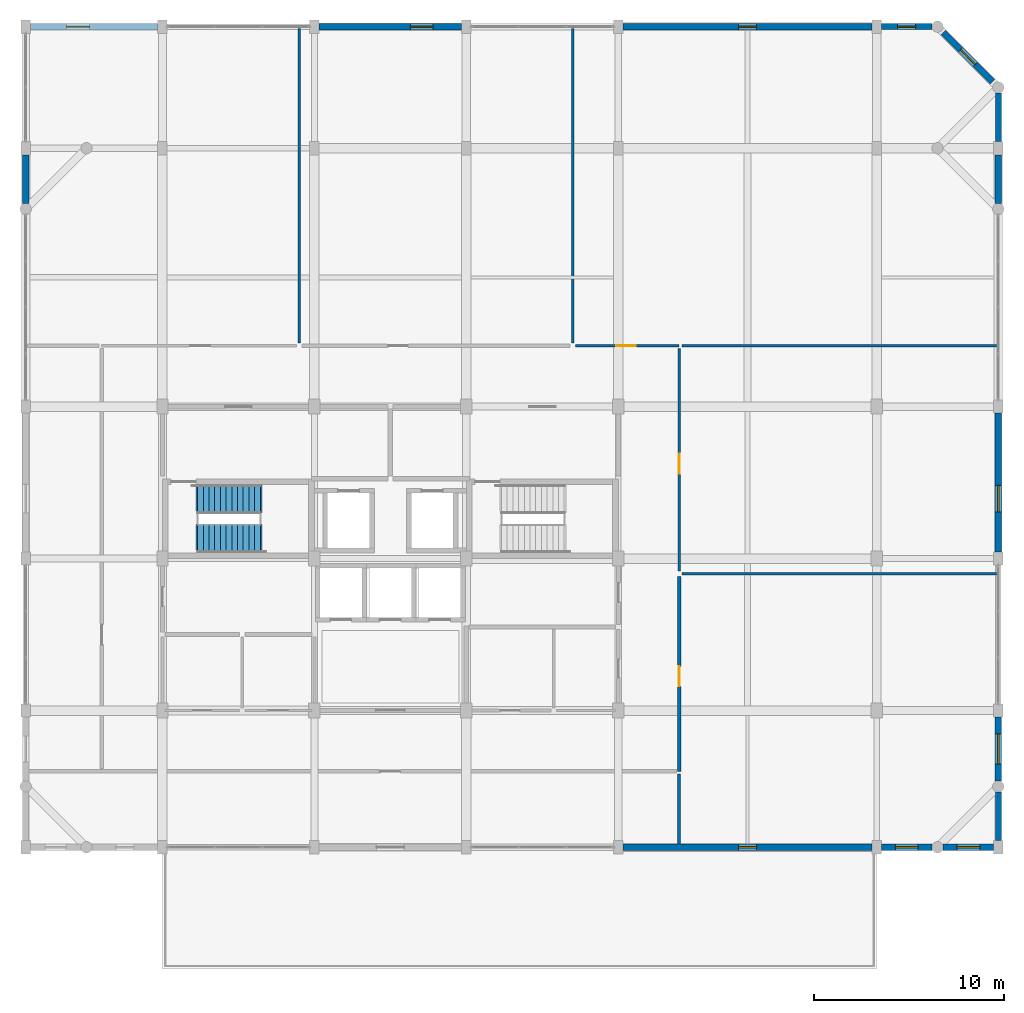
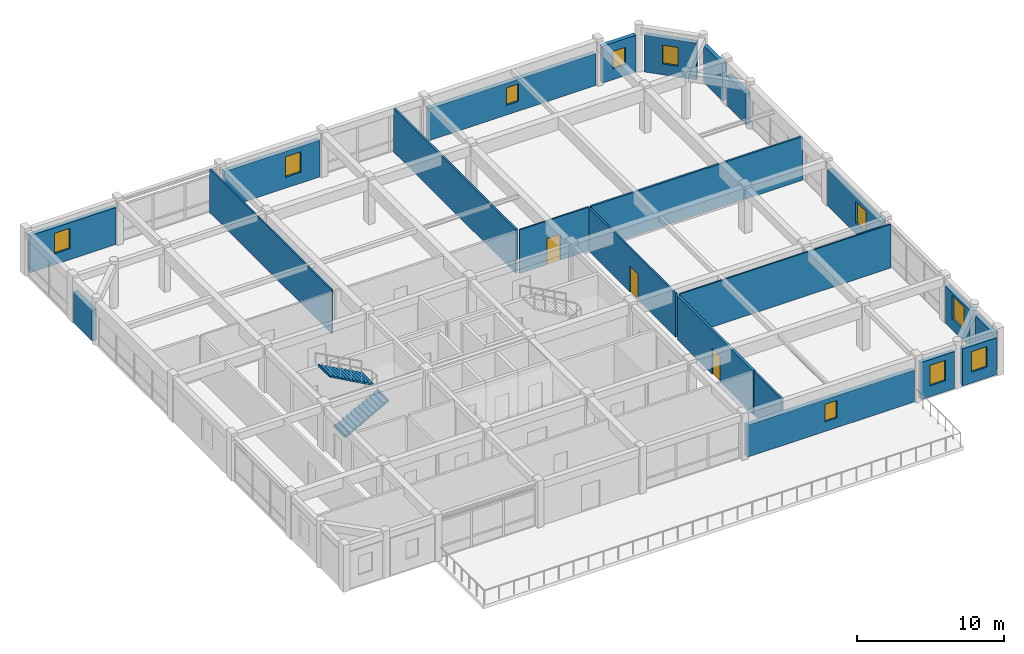
# One storey, part 11 of 13: 22 walls, 10 windows, 3 doors, 2 stair flights, 13 openings, 1 element without a shape of its own.
"""IFC4 building model written with IfcOpenShell, lengths in metres."""

from ifc_helpers import new_model, si_unit, direction, frame, frame_2d, origin, place, context, subcontext, project, spatial, polyline, rectangle, outline, extrude, material, layer, layer_set, type_object, element, fill, aggregate, save


model = new_model("IFC4")

# Units and contexts
model_context = context("Model", 3, precision=1e-05, world=origin(), true_north=direction((0.0, 1.0)))
body_context = subcontext(model_context, "Body", "Model", "MODEL_VIEW")
ifc_project = project(units=[si_unit("LENGTHUNIT", "METRE"), si_unit("AREAUNIT", "SQUARE_METRE"), si_unit("VOLUMEUNIT", "CUBIC_METRE"), si_unit("PLANEANGLEUNIT", "RADIAN"), si_unit("MASSUNIT", "GRAM", prefix="KILO")], contexts=[model_context])

# Site, building, storey
site_placement = place(None, origin())
site = spatial("IfcSite", under=ifc_project, at=site_placement, CompositionType="ELEMENT")
building_placement = place(site_placement, origin())
building = spatial("IfcBuilding", under=site, at=building_placement, Name="Vellmiral Cinema and Media Centre", CompositionType="ELEMENT")
storey_placement = place(building_placement, frame((0.0, 0.0, 50.89990234375)))
storey = spatial("IfcBuildingStorey", under=building, at=storey_placement, Name="L12", CompositionType="ELEMENT", Elevation=50.89990234375)

# Wall, opening, window
ifc_material_1 = material(Name="Polychrome Glazed Ceramic Cladding", Category="masonry")
ifc_layer_1 = layer(ifc_material_1, 0.320068359375, Name="Polychrome Glazed Ceramic Cladding")
ifc_layer_set_1 = layer_set([ifc_layer_1], Name="Polychrome Glazed Ceramic Cladding")
wall_type_1 = type_object("IfcWallType", Name="WL-EXT-BRICK-320", PredefinedType="SOLIDWALL", material=ifc_layer_set_1)
wall_1_placement = place(storey_placement, frame((161.85009765625, 72.0, 0.0), z_axis=(0.0, 0.0, 1.0), x_axis=(1.0, 0.0, 0.0)))
wall_1 = element("IfcWall", 1, at=wall_1_placement, inside=storey, type_object=wall_type_1, Name="Exterior Facade Wall L12-007", PredefinedType="SOLIDWALL", context=body_context, shape_type="SweptSolid", body=[
    extrude(rectangle(XDim=2.64990234375, YDim=0.320068359375, at=frame_2d((1.324951171875, 0.0))), origin(), (0.0, 0.0, 1.0), 3.06005859375),
])
opening_1_placement = place(wall_1_placement, frame((0.72509765625, 0.0, 0.89990234375)))
opening_1 = element("IfcOpeningElement", 2, at=opening_1_placement, cuts=wall_1, Name="Opening WN-10", PredefinedType="OPENING", context=body_context, shape_type="SweptSolid", body=[
    extrude(rectangle(XDim=1.199951171875, YDim=1.699951171875, at=frame_2d((0.60009765625, 0.85009765625))), frame((0.0, 0.171875, 0.0), z_axis=(0.0, -1.0, 0.0), x_axis=(1.0, 0.0, 0.0)), (0.0, 0.0, 1.0), 0.343994140625),
])
ifc_material_2 = material(Name="Thermally Broken Aluminium Triple Glazing", Category="aluminium")
window_type_1 = type_object("IfcWindowType", Name="WN-1200x1700", PartitioningType="SINGLE_PANEL", PredefinedType="WINDOW", material=ifc_material_2)
window_1_placement = place(opening_1_placement, origin())
window_1 = element("IfcWindow", 3, at=window_1_placement, inside=storey, type_object=window_type_1, Name="Window L12-007", OverallHeight=1.699951171875, OverallWidth=1.199951171875, PartitioningType="SINGLE_PANEL", PredefinedType="WINDOW", context=body_context, shape_type="SweptSolid", body=[
    extrude(rectangle(XDim=1.199951171875, YDim=1.699951171875, at=frame_2d((0.60009765625, 0.85009765625))), frame((0.0, 0.030029296875, 0.0), z_axis=(0.0, -1.0, 0.0), x_axis=(1.0, 0.0, 0.0)), (0.0, 0.0, 1.0), 0.06005859375),
])
fill(opening_1, window_1)

# Walls
wall_2_placement = place(storey_placement, frame((168.0, 72.35009765625, 0.0), z_axis=(0.0, 0.0, 1.0), x_axis=(0.0, 1.0, 0.0)))
element("IfcWall", 4, at=wall_2_placement, inside=storey, type_object=wall_type_1, Name="Exterior Facade Wall L12-009", PredefinedType="SOLIDWALL", context=body_context, shape_type="SweptSolid", body=[
    extrude(rectangle(XDim=2.5498046875, YDim=0.320068359375, at=frame_2d((1.27490234375, 0.0))), origin(), (0.0, 0.0, 1.0), 3.06005859375),
])
wall_3_placement = place(storey_placement, frame((168.0, 109.14990234375, 0.0), z_axis=(0.0, 0.0, 1.0), x_axis=(0.0, 1.0, 0.0)))
element("IfcWall", 5, at=wall_3_placement, inside=storey, type_object=wall_type_1, Name="Exterior Facade Wall L12-015", PredefinedType="SOLIDWALL", context=body_context, shape_type="SweptSolid", body=[
    extrude(rectangle(XDim=2.550048828125, YDim=0.320068359375, at=frame_2d((1.27490234375, 0.0))), origin(), (0.0, 0.0, 1.0), 3.06005859375),
])

# Wall, opening, window
wall_4_placement = place(storey_placement, frame((164.5, 115.199951171875, 0.0), z_axis=(0.0, 0.0, 1.0), x_axis=(-1.0, 0.0, 0.0)))
wall_4 = element("IfcWall", 6, at=wall_4_placement, inside=storey, type_object=wall_type_1, Name="Exterior Facade Wall L12-017", PredefinedType="SOLIDWALL", context=body_context, shape_type="SweptSolid", body=[
    extrude(rectangle(XDim=2.64990234375, YDim=0.320068359375, at=frame_2d((1.324951171875, 0.0))), origin(), (0.0, 0.0, 1.0), 3.06005859375),
])
opening_2_placement = place(wall_4_placement, frame((0.85009765625, 0.0, 0.89990234375)))
opening_2 = element("IfcOpeningElement", 7, at=opening_2_placement, cuts=wall_4, Name="Opening WN-12", PredefinedType="OPENING", context=body_context, shape_type="SweptSolid", body=[
    extrude(rectangle(XDim=0.949951171875, YDim=1.449951171875, at=frame_2d((0.47509765625, 0.72509765625))), frame((0.0, 0.171875, 0.0), z_axis=(0.0, -1.0, 0.0), x_axis=(1.0, 0.0, 0.0)), (0.0, 0.0, 1.0), 0.343994140625),
])
ifc_material_3 = material(Name="Thermally Broken Aluminium Triple Glazing", Category="aluminium")
window_type_2 = type_object("IfcWindowType", Name="WN-0950x1450", PartitioningType="SINGLE_PANEL", PredefinedType="WINDOW", material=ifc_material_3)
window_2_placement = place(opening_2_placement, origin())
window_2 = element("IfcWindow", 8, at=window_2_placement, inside=storey, type_object=window_type_2, Name="Window L12-017", OverallHeight=1.449951171875, OverallWidth=0.949951171875, PartitioningType="SINGLE_PANEL", PredefinedType="WINDOW", context=body_context, shape_type="SweptSolid", body=[
    extrude(rectangle(XDim=0.949951171875, YDim=1.449951171875, at=frame_2d((0.47509765625, 0.72509765625))), frame((0.0, 0.030029296875, 0.0), z_axis=(0.0, -1.0, 0.0), x_axis=(1.0, 0.0, 0.0)), (0.0, 0.0, 1.0), 0.06005859375),
])
fill(opening_2, window_2)

ifc_material_4 = material(Name="Vosges Red Sandstone Masonry", Category="masonry")
ifc_layer_2 = layer(ifc_material_4, 0.340087890625, Name="Vosges Red Sandstone Masonry")
ifc_layer_set_2 = layer_set([ifc_layer_2], Name="Vosges Red Sandstone Masonry")
wall_type_2 = type_object("IfcWallType", Name="WL-EXT-SAND-340", PredefinedType="SOLIDWALL", material=ifc_layer_set_2)
wall_5_placement = place(storey_placement, frame((148.25, 72.0, 0.0), z_axis=(0.0, 0.0, 1.0), x_axis=(1.0, 0.0, 0.0)))
wall_5 = element("IfcWall", 9, at=wall_5_placement, inside=storey, type_object=wall_type_2, Name="Exterior Facade Wall L12-006", PredefinedType="SOLIDWALL", context=body_context, shape_type="SweptSolid", body=[
    extrude(rectangle(XDim=13.10009765625, YDim=0.340087890625, at=frame_2d((6.550048828125, 0.0))), origin(), (0.0, 0.0, 1.0), 2.64501953125),
])
opening_3_placement = place(wall_5_placement, frame((6.074951171875, 0.0, 0.800048828125)))
opening_3 = element("IfcOpeningElement", 10, at=opening_3_placement, cuts=wall_5, Name="Opening WN-12", PredefinedType="OPENING", context=body_context, shape_type="SweptSolid", body=[
    extrude(rectangle(XDim=0.949951171875, YDim=1.449951171875, at=frame_2d((0.47509765625, 0.72509765625))), frame((0.0, 0.18212890625, 0.0), z_axis=(0.0, -1.0, 0.0), x_axis=(1.0, 0.0, 0.0)), (0.0, 0.0, 1.0), 0.364013671875),
])
window_3_placement = place(opening_3_placement, origin())
window_3 = element("IfcWindow", 11, at=window_3_placement, inside=storey, type_object=window_type_2, Name="Window L12-006", OverallHeight=1.449951171875, OverallWidth=0.949951171875, PartitioningType="SINGLE_PANEL", PredefinedType="WINDOW", context=body_context, shape_type="SweptSolid", body=[
    extrude(rectangle(XDim=0.949951171875, YDim=1.449951171875, at=frame_2d((0.47509765625, 0.72509765625))), frame((0.0, 0.030029296875, 0.0), z_axis=(0.0, -1.0, 0.0), x_axis=(1.0, 0.0, 0.0)), (0.0, 0.0, 1.0), 0.06005859375),
])
fill(opening_3, window_3)

wall_6_placement = place(storey_placement, frame((165.10009765625, 72.0, 0.0), z_axis=(0.0, 0.0, 1.0), x_axis=(1.0, 0.0, 0.0)))
wall_6 = element("IfcWall", 12, at=wall_6_placement, inside=storey, type_object=wall_type_2, Name="Exterior Facade Wall L12-008", PredefinedType="SOLIDWALL", context=body_context, shape_type="SweptSolid", body=[
    extrude(rectangle(XDim=2.64990234375, YDim=0.340087890625, at=frame_2d((1.324951171875, 0.0))), origin(), (0.0, 0.0, 1.0), 3.06005859375),
])
opening_4_placement = place(wall_6_placement, frame((0.72509765625, 0.0, 0.89990234375)))
opening_4 = element("IfcOpeningElement", 13, at=opening_4_placement, cuts=wall_6, Name="Opening WN-10", PredefinedType="OPENING", context=body_context, shape_type="SweptSolid", body=[
    extrude(rectangle(XDim=1.199951171875, YDim=1.699951171875, at=frame_2d((0.60009765625, 0.85009765625))), frame((0.0, 0.18212890625, 0.0), z_axis=(0.0, -1.0, 0.0), x_axis=(1.0, 0.0, 0.0)), (0.0, 0.0, 1.0), 0.364013671875),
])
window_4_placement = place(opening_4_placement, origin())
window_4 = element("IfcWindow", 14, at=window_4_placement, inside=storey, type_object=window_type_1, Name="Window L12-008", OverallHeight=1.699951171875, OverallWidth=1.199951171875, PartitioningType="SINGLE_PANEL", PredefinedType="WINDOW", context=body_context, shape_type="SweptSolid", body=[
    extrude(rectangle(XDim=1.199951171875, YDim=1.699951171875, at=frame_2d((0.60009765625, 0.85009765625))), frame((0.0, 0.030029296875, 0.0), z_axis=(0.0, -1.0, 0.0), x_axis=(1.0, 0.0, 0.0)), (0.0, 0.0, 1.0), 0.06005859375),
])
fill(opening_4, window_4)

wall_7_placement = place(storey_placement, frame((168.0, 75.5, 0.0), z_axis=(0.0, 0.0, 1.0), x_axis=(0.0, 1.0, 0.0)))
wall_7 = element("IfcWall", 15, at=wall_7_placement, inside=storey, type_object=wall_type_2, Name="Exterior Facade Wall L12-010", PredefinedType="SOLIDWALL", context=body_context, shape_type="SweptSolid", body=[
    extrude(rectangle(XDim=3.35009765625, YDim=0.340087890625, at=frame_2d((1.675048828125, 0.0))), origin(), (0.0, 0.0, 1.0), 3.06005859375),
])
opening_5_placement = place(wall_7_placement, frame((0.875, 0.0, 0.89990234375)))
opening_5 = element("IfcOpeningElement", 16, at=opening_5_placement, cuts=wall_7, Name="Opening WN-05", PredefinedType="OPENING", context=body_context, shape_type="SweptSolid", body=[
    extrude(rectangle(XDim=1.60009765625, YDim=1.949951171875, at=frame_2d((0.800048828125, 0.97509765625))), frame((0.0, 0.18212890625, 0.0), z_axis=(0.0, -1.0, 0.0), x_axis=(1.0, 0.0, 0.0)), (0.0, 0.0, 1.0), 0.364013671875),
])
ifc_material_5 = material(Name="Thermally Broken Aluminium Triple Glazing", Category="aluminium")
window_type_3 = type_object("IfcWindowType", Name="WN-1600x1950", PartitioningType="DOUBLE_PANEL_VERTICAL", PredefinedType="WINDOW", material=ifc_material_5)
window_5_placement = place(opening_5_placement, origin())
window_5 = element("IfcWindow", 17, at=window_5_placement, inside=storey, type_object=window_type_3, Name="Window L12-010", OverallHeight=1.949951171875, OverallWidth=1.60009765625, PartitioningType="DOUBLE_PANEL_VERTICAL", PredefinedType="WINDOW", context=body_context, shape_type="SweptSolid", body=[
    extrude(rectangle(XDim=1.60009765625, YDim=1.949951171875, at=frame_2d((0.800048828125, 0.97509765625))), frame((0.0, 0.030029296875, 0.0), z_axis=(0.0, -1.0, 0.0), x_axis=(1.0, 0.0, 0.0)), (0.0, 0.0, 1.0), 0.06005859375),
])
fill(opening_5, window_5)

wall_8_placement = place(storey_placement, frame((168.0, 87.550048828125, 0.0), z_axis=(0.0, 0.0, 1.0), x_axis=(0.0, 1.0, 0.0)))
wall_8 = element("IfcWall", 18, at=wall_8_placement, inside=storey, type_object=wall_type_2, Name="Exterior Facade Wall L12-012", PredefinedType="SOLIDWALL", context=body_context, shape_type="SweptSolid", body=[
    extrude(rectangle(XDim=7.300048828125, YDim=0.340087890625, at=frame_2d((3.64990234375, 0.0))), origin(), (0.0, 0.0, 1.0), 3.045166015625),
])
opening_6_placement = place(wall_8_placement, frame((2.10009765625, 0.0, 0.89990234375)))
opening_6 = element("IfcOpeningElement", 19, at=opening_6_placement, cuts=wall_8, Name="Opening WN-07", PredefinedType="OPENING", context=body_context, shape_type="SweptSolid", body=[
    extrude(rectangle(XDim=1.39990234375, YDim=1.800048828125, at=frame_2d((0.699951171875, 0.89990234375))), frame((0.0, 0.18212890625, 0.0), z_axis=(0.0, -1.0, 0.0), x_axis=(1.0, 0.0, 0.0)), (0.0, 0.0, 1.0), 0.364013671875),
])
ifc_material_6 = material(Name="Thermally Broken Aluminium Triple Glazing", Category="aluminium")
window_type_4 = type_object("IfcWindowType", Name="WN-1400x1800", PartitioningType="SINGLE_PANEL", PredefinedType="WINDOW", material=ifc_material_6)
window_6_placement = place(opening_6_placement, origin())
window_6 = element("IfcWindow", 20, at=window_6_placement, inside=storey, type_object=window_type_4, Name="Window L12-012", OverallHeight=1.800048828125, OverallWidth=1.39990234375, PartitioningType="SINGLE_PANEL", PredefinedType="WINDOW", context=body_context, shape_type="SweptSolid", body=[
    extrude(rectangle(XDim=1.39990234375, YDim=1.800048828125, at=frame_2d((0.699951171875, 0.89990234375))), frame((0.0, 0.030029296875, 0.0), z_axis=(0.0, -1.0, 0.0), x_axis=(1.0, 0.0, 0.0)), (0.0, 0.0, 1.0), 0.06005859375),
])
fill(opening_6, window_6)

# Wall
wall_9_placement = place(storey_placement, frame((168.0, 105.89990234375, 0.0), z_axis=(0.0, 0.0, 1.0), x_axis=(0.0, 1.0, 0.0)))
element("IfcWall", 21, at=wall_9_placement, inside=storey, type_object=wall_type_2, Name="Exterior Facade Wall L12-014", PredefinedType="SOLIDWALL", context=body_context, shape_type="SweptSolid", body=[
    extrude(rectangle(XDim=2.550048828125, YDim=0.340087890625, at=frame_2d((1.27490234375, 0.0))), origin(), (0.0, 0.0, 1.0), 2.59521484375),
])

# Wall, opening, window
wall_10_placement = place(storey_placement, frame((167.699951171875, 112.300048828125, 0.0), z_axis=(0.0, 0.0, 1.0), x_axis=(-0.707106781187, 0.707106781187, 0.0)))
wall_10 = element("IfcWall", 22, at=wall_10_placement, inside=storey, type_object=wall_type_2, Name="Exterior Facade Wall L12-016", PredefinedType="SOLIDWALL", context=body_context, shape_type="SweptSolid", body=[
    extrude(rectangle(XDim=3.6767578125, YDim=0.340087890625, at=frame_2d((1.83837890625, 0.0))), origin(), (0.0, 0.0, 1.0), 3.05517578125),
])
opening_7_placement = place(wall_10_placement, frame((1.28857421875, 0.0, 0.89990234375)))
opening_7 = element("IfcOpeningElement", 23, at=opening_7_placement, cuts=wall_10, Name="Opening WN-11", PredefinedType="OPENING", context=body_context, shape_type="SweptSolid", body=[
    extrude(rectangle(XDim=1.10009765625, YDim=1.550048828125, at=frame_2d((0.550048828125, 0.77490234375))), frame((0.0, 0.18212890625, 0.0), z_axis=(0.0, -1.0, 0.0), x_axis=(1.0, 0.0, 0.0)), (0.0, 0.0, 1.0), 0.364013671875),
])
ifc_material_7 = material(Name="Thermally Broken Aluminium Triple Glazing", Category="aluminium")
window_type_5 = type_object("IfcWindowType", Name="WN-1100x1550", PartitioningType="SINGLE_PANEL", PredefinedType="WINDOW", material=ifc_material_7)
window_7_placement = place(opening_7_placement, origin())
window_7 = element("IfcWindow", 24, at=window_7_placement, inside=storey, type_object=window_type_5, Name="Window L12-016", OverallHeight=1.550048828125, OverallWidth=1.10009765625, PartitioningType="SINGLE_PANEL", PredefinedType="WINDOW", context=body_context, shape_type="SweptSolid", body=[
    extrude(rectangle(XDim=1.10009765625, YDim=1.550048828125, at=frame_2d((0.550048828125, 0.77490234375))), frame((0.0, 0.030029296875, 0.0), z_axis=(0.0, -1.0, 0.0), x_axis=(1.0, 0.0, 0.0)), (0.0, 0.0, 1.0), 0.06005859375),
])
fill(opening_7, window_7)

wall_11_placement = place(storey_placement, frame((161.35009765625, 115.199951171875, 0.0), z_axis=(0.0, 0.0, 1.0), x_axis=(-1.0, 0.0, 0.0)))
wall_11 = element("IfcWall", 25, at=wall_11_placement, inside=storey, type_object=wall_type_2, Name="Exterior Facade Wall L12-018", PredefinedType="SOLIDWALL", context=body_context, shape_type="SweptSolid", body=[
    extrude(rectangle(XDim=13.10009765625, YDim=0.340087890625, at=frame_2d((6.550048828125, 0.0))), origin(), (0.0, 0.0, 1.0), 2.64501953125),
])
opening_8_placement = place(wall_11_placement, frame((6.074951171875, 0.0, 0.800048828125)))
opening_8 = element("IfcOpeningElement", 26, at=opening_8_placement, cuts=wall_11, Name="Opening WN-12", PredefinedType="OPENING", context=body_context, shape_type="SweptSolid", body=[
    extrude(rectangle(XDim=0.949951171875, YDim=1.449951171875, at=frame_2d((0.47509765625, 0.72509765625))), frame((0.0, 0.18212890625, 0.0), z_axis=(0.0, -1.0, 0.0), x_axis=(1.0, 0.0, 0.0)), (0.0, 0.0, 1.0), 0.364013671875),
])
window_8_placement = place(opening_8_placement, origin())
window_8 = element("IfcWindow", 27, at=window_8_placement, inside=storey, type_object=window_type_2, Name="Window L12-018", OverallHeight=1.449951171875, OverallWidth=0.949951171875, PartitioningType="SINGLE_PANEL", PredefinedType="WINDOW", context=body_context, shape_type="SweptSolid", body=[
    extrude(rectangle(XDim=0.949951171875, YDim=1.449951171875, at=frame_2d((0.47509765625, 0.72509765625))), frame((0.0, 0.030029296875, 0.0), z_axis=(0.0, -1.0, 0.0), x_axis=(1.0, 0.0, 0.0)), (0.0, 0.0, 1.0), 0.06005859375),
])
fill(opening_8, window_8)

wall_12_placement = place(storey_placement, frame((139.75, 115.199951171875, 0.0), z_axis=(0.0, 0.0, 1.0), x_axis=(-1.0, 0.0, 0.0)))
wall_12 = element("IfcWall", 28, at=wall_12_placement, inside=storey, type_object=wall_type_2, Name="Exterior Facade Wall L12-020", PredefinedType="SOLIDWALL", context=body_context, shape_type="SweptSolid", body=[
    extrude(rectangle(XDim=7.5, YDim=0.340087890625, at=frame_2d((3.75, 0.0))), origin(), (0.0, 0.0, 1.0), 3.045166015625),
])
opening_9_placement = place(wall_12_placement, frame((1.5, 0.0, 0.89990234375)))
opening_9 = element("IfcOpeningElement", 29, at=opening_9_placement, cuts=wall_12, Name="Opening WN-10", PredefinedType="OPENING", context=body_context, shape_type="SweptSolid", body=[
    extrude(rectangle(XDim=1.199951171875, YDim=1.699951171875, at=frame_2d((0.60009765625, 0.85009765625))), frame((0.0, 0.18212890625, 0.0), z_axis=(0.0, -1.0, 0.0), x_axis=(1.0, 0.0, 0.0)), (0.0, 0.0, 1.0), 0.364013671875),
])
window_9_placement = place(opening_9_placement, origin())
window_9 = element("IfcWindow", 30, at=window_9_placement, inside=storey, type_object=window_type_1, Name="Window L12-020", OverallHeight=1.699951171875, OverallWidth=1.199951171875, PartitioningType="SINGLE_PANEL", PredefinedType="WINDOW", context=body_context, shape_type="SweptSolid", body=[
    extrude(rectangle(XDim=1.199951171875, YDim=1.699951171875, at=frame_2d((0.60009765625, 0.85009765625))), frame((0.0, 0.030029296875, 0.0), z_axis=(0.0, -1.0, 0.0), x_axis=(1.0, 0.0, 0.0)), (0.0, 0.0, 1.0), 0.06005859375),
])
fill(opening_9, window_9)

wall_13_placement = place(storey_placement, frame((123.75, 115.199951171875, 0.0), z_axis=(0.0, 0.0, 1.0), x_axis=(-1.0, 0.0, 0.0)))
wall_13 = element("IfcWall", 31, at=wall_13_placement, inside=storey, type_object=wall_type_2, Name="Exterior Facade Wall L12-022", PredefinedType="SOLIDWALL", context=body_context, shape_type="SweptSolid", body=[
    extrude(rectangle(XDim=6.699951171875, YDim=0.340087890625, at=frame_2d((3.35009765625, 0.0))), origin(), (0.0, 0.0, 1.0), 3.06005859375),
])
opening_10_placement = place(wall_13_placement, frame((3.60009765625, 0.0, 0.89990234375)))
opening_10 = element("IfcOpeningElement", 32, at=opening_10_placement, cuts=wall_13, Name="Opening WN-10", PredefinedType="OPENING", context=body_context, shape_type="SweptSolid", body=[
    extrude(rectangle(XDim=1.199951171875, YDim=1.699951171875, at=frame_2d((0.60009765625, 0.85009765625))), frame((0.0, 0.18212890625, 0.0), z_axis=(0.0, -1.0, 0.0), x_axis=(1.0, 0.0, 0.0)), (0.0, 0.0, 1.0), 0.364013671875),
])
window_10_placement = place(opening_10_placement, origin())
window_10 = element("IfcWindow", 33, at=window_10_placement, inside=storey, type_object=window_type_1, Name="Window L12-022", OverallHeight=1.699951171875, OverallWidth=1.199951171875, PartitioningType="SINGLE_PANEL", PredefinedType="WINDOW", context=body_context, shape_type="SweptSolid", body=[
    extrude(rectangle(XDim=1.199951171875, YDim=1.699951171875, at=frame_2d((0.60009765625, 0.85009765625))), frame((0.0, 0.030029296875, 0.0), z_axis=(0.0, -1.0, 0.0), x_axis=(1.0, 0.0, 0.0)), (0.0, 0.0, 1.0), 0.06005859375),
])
fill(opening_10, window_10)

# Walls
wall_14_placement = place(storey_placement, frame((116.800048828125, 108.449951171875, 0.0), z_axis=(0.0, 0.0, 1.0), x_axis=(0.0, -1.0, 0.0)))
element("IfcWall", 34, at=wall_14_placement, inside=storey, type_object=wall_type_2, Name="Exterior Facade Wall L12-024", PredefinedType="SOLIDWALL", context=body_context, shape_type="SweptSolid", body=[
    extrude(rectangle(XDim=2.550048828125, YDim=0.340087890625, at=frame_2d((1.27490234375, 0.0))), origin(), (0.0, 0.0, 1.0), 2.59521484375),
])
ifc_material_8 = material(Name="Gypsum Plasterboard")
ifc_layer_3 = layer(ifc_material_8, 0.02490234375, Name="Gypsum Plasterboard", Category="gypsum")
ifc_material_9 = material(Name="Mineral Wool Acoustic Insulation", Category="insulation")
ifc_layer_4 = layer(ifc_material_9, 0.06005859375, Name="Mineral Wool Acoustic Insulation", Category="insulation")
ifc_layer_5 = layer(ifc_material_8, 0.02490234375, Name="Gypsum Plasterboard", Category="gypsum")
ifc_layer_set_3 = layer_set([ifc_layer_3, ifc_layer_4, ifc_layer_5], Name="Gypsum Plasterboard")
wall_type_3 = type_object("IfcWallType", Name="WL-PART-110", PredefinedType="PARTITIONING", material=ifc_layer_set_3)
for number, where, z_axis, x_axis, name in (
    (35, (151.340087890625, 86.39990234375, 0.0), (0.0, 0.0, 1.0), (1.0, 0.0, 0.0), "East Film Commission Office 1 Wall N"),
    (36, (131.199951171875, 98.5400390625, 0.0), (0.0, 0.0, 1.0), (0.0, 1.0, 0.0), "North Film Commission Suite West Wall E"),
):
    element("IfcWall", number, at=place(storey_placement, frame(where, z_axis=z_axis, x_axis=x_axis)), inside=storey, type_object=wall_type_3, Name=name, PredefinedType="PARTITIONING", context=body_context, shape_type="SweptSolid", body=[
        extrude(rectangle(XDim=16.56494140625, YDim=0.110107421875, at=frame_2d((8.282470703125, 0.0))), origin(), (0.0, 0.0, 1.0), 3.6201171875),
    ])

# Wall, opening, door
wall_15_placement = place(storey_placement, frame((145.739990234375, 98.39990234375, 0.0), z_axis=(0.0, 0.0, 1.0), x_axis=(1.0, 0.0, 0.0)))
wall_15 = element("IfcWall", 37, at=wall_15_placement, inside=storey, type_object=wall_type_3, Name="North International Licensing Studio Wall S", PredefinedType="PARTITIONING", context=body_context, shape_type="SweptSolid", body=[
    extrude(rectangle(XDim=5.4599609375, YDim=0.110107421875, at=frame_2d((2.72998046875, 0.0))), origin(), (0.0, 0.0, 1.0), 3.6201171875),
])
opening_11_placement = place(wall_15_placement, frame((2.135009765625, 0.0, 0.0)))
opening_11 = element("IfcOpeningElement", 38, at=opening_11_placement, cuts=wall_15, Name="Opening D-I07", PredefinedType="OPENING", context=body_context, shape_type="SweptSolid", body=[
    extrude(rectangle(XDim=1.050048828125, YDim=2.14990234375, at=frame_2d((0.52490234375, 1.074951171875))), frame((0.0, 0.06689453125, 0.0), z_axis=(0.0, -1.0, 0.0), x_axis=(1.0, 0.0, 0.0)), (0.0, 0.0, 1.0), 0.134033203125),
])
ifc_material_10 = material(Name="Laminated Timber Door", Category="wood")
door_type = type_object("IfcDoorType", Name="DR-INT-1050x2150", OperationType="NOTDEFINED", PredefinedType="DOOR", material=ifc_material_10)
door_1_placement = place(opening_11_placement, frame((1.050048828125, 0.0, 0.0), z_axis=(0.0, 0.0, 1.0), x_axis=(-1.0, 0.0, 0.0)))
door_1 = element("IfcDoor", 39, at=door_1_placement, inside=storey, type_object=door_type, Name="North International Licensing Studio Door", OperationType="SINGLE_SWING_RIGHT", OverallHeight=2.14990234375, OverallWidth=1.050048828125, PredefinedType="DOOR", context=body_context, shape_type="SweptSolid", body=[
    extrude(rectangle(XDim=1.050048828125, YDim=2.14990234375, at=frame_2d((0.52490234375, 1.074951171875))), frame((0.0, 0.02490234375, 0.0), z_axis=(0.0, -1.0, 0.0), x_axis=(1.0, 0.0, 0.0)), (0.0, 0.0, 1.0), 0.050048828125),
])
fill(opening_11, door_1)

ifc_material_11 = material(Name="Gypsum Plasterboard")
ifc_layer_6 = layer(ifc_material_11, 0.02490234375, Name="Gypsum Plasterboard", Category="gypsum")
ifc_material_12 = material(Name="Mineral Wool Acoustic Insulation", Category="insulation")
ifc_layer_7 = layer(ifc_material_12, 0.080078125, Name="Mineral Wool Acoustic Insulation", Category="insulation")
ifc_layer_8 = layer(ifc_material_11, 0.02490234375, Name="Gypsum Plasterboard", Category="gypsum")
ifc_layer_set_4 = layer_set([ifc_layer_6, ifc_layer_7, ifc_layer_8], Name="Gypsum Plasterboard")
wall_type_4 = type_object("IfcWallType", Name="WL-PART-130", PredefinedType="PARTITIONING", material=ifc_layer_set_4)
wall_16_placement = place(storey_placement, frame((151.199951171875, 86.5400390625, 0.0), z_axis=(0.0, 0.0, 1.0), x_axis=(0.0, 1.0, 0.0)))
wall_16 = element("IfcWall", 40, at=wall_16_placement, inside=storey, type_object=wall_type_4, Name="East Media Rights Office 2 Wall W", PredefinedType="PARTITIONING", context=body_context, shape_type="SweptSolid", body=[
    extrude(rectangle(XDim=11.719970703125, YDim=0.1298828125, at=frame_2d((5.85986328125, 0.0))), origin(), (0.0, 0.0, 1.0), 3.6201171875),
])
opening_12_placement = place(wall_16_placement, frame((5.135009765625, 0.0, 0.0)))
opening_12 = element("IfcOpeningElement", 41, at=opening_12_placement, cuts=wall_16, Name="Opening D-I07", PredefinedType="OPENING", context=body_context, shape_type="SweptSolid", body=[
    extrude(rectangle(XDim=1.050048828125, YDim=2.14990234375, at=frame_2d((0.52490234375, 1.074951171875))), frame((0.0, 0.076904296875, 0.0), z_axis=(0.0, -1.0, 0.0), x_axis=(1.0, 0.0, 0.0)), (0.0, 0.0, 1.0), 0.15380859375),
])
door_2_placement = place(opening_12_placement, frame((1.050048828125, 0.0, 0.0), z_axis=(0.0, 0.0, 1.0), x_axis=(-1.0, 0.0, 0.0)))
door_2 = element("IfcDoor", 42, at=door_2_placement, inside=storey, type_object=door_type, Name="East Media Rights Office 2 Door", OperationType="SINGLE_SWING_RIGHT", OverallHeight=2.14990234375, OverallWidth=1.050048828125, PredefinedType="DOOR", context=body_context, shape_type="SweptSolid", body=[
    extrude(rectangle(XDim=1.050048828125, YDim=2.14990234375, at=frame_2d((0.52490234375, 1.074951171875))), frame((0.0, 0.02490234375, 0.0), z_axis=(0.0, -1.0, 0.0), x_axis=(1.0, 0.0, 0.0)), (0.0, 0.0, 1.0), 0.050048828125),
])
fill(opening_12, door_2)

# Walls
ifc_material_13 = material(Name="Gypsum Plasterboard")
ifc_layer_9 = layer(ifc_material_13, 0.02490234375, Name="Gypsum Plasterboard", Category="gypsum")
ifc_material_14 = material(Name="Mineral Wool Acoustic Insulation", Category="insulation")
ifc_layer_10 = layer(ifc_material_14, 0.10009765625, Name="Mineral Wool Acoustic Insulation", Category="insulation")
ifc_layer_11 = layer(ifc_material_13, 0.02490234375, Name="Gypsum Plasterboard", Category="gypsum")
ifc_layer_set_5 = layer_set([ifc_layer_9, ifc_layer_10, ifc_layer_11], Name="Gypsum Plasterboard")
wall_type_5 = type_object("IfcWallType", Name="WL-PART-150", PredefinedType="PARTITIONING", material=ifc_layer_set_5)
wall_17_placement = place(storey_placement, frame((151.199951171875, 72.18505859375, 0.0), z_axis=(0.0, 0.0, 1.0), x_axis=(0.0, 1.0, 0.0)))
element("IfcWall", 43, at=wall_17_placement, inside=storey, type_object=wall_type_5, Name="South Rhine Gallery Lounge Wall E", PredefinedType="PARTITIONING", context=body_context, shape_type="SweptSolid", body=[
    extrude(rectangle(XDim=3.675048828125, YDim=0.14990234375, at=frame_2d((1.83740234375, 0.0))), origin(), (0.0, 0.0, 1.0), 3.6201171875),
])
for number, where, z_axis, x_axis, name in (
    (44, (151.340087890625, 98.39990234375, 0.0), (0.0, 0.0, 1.0), (1.0, 0.0, 0.0), "East Media Rights Office 2 Wall N"),
    (45, (145.60009765625, 98.5400390625, 0.0), (0.0, 0.0, 1.0), (0.0, 1.0, 0.0), "North Film Commission Boardroom Wall E"),
):
    element("IfcWall", number, at=place(storey_placement, frame(where, z_axis=z_axis, x_axis=x_axis)), inside=storey, type_object=wall_type_5, Name=name, PredefinedType="PARTITIONING", context=body_context, shape_type="SweptSolid", body=[
        extrude(rectangle(XDim=16.56494140625, YDim=0.14990234375, at=frame_2d((8.282470703125, 0.0))), origin(), (0.0, 0.0, 1.0), 3.6201171875),
    ])

# Wall, opening, door
ifc_material_15 = material(Name="Gypsum Plasterboard")
ifc_layer_12 = layer(ifc_material_15, 0.02490234375, Name="Gypsum Plasterboard", Category="gypsum")
ifc_material_16 = material(Name="Mineral Wool Acoustic Insulation", Category="insulation")
ifc_layer_13 = layer(ifc_material_16, 0.139892578125, Name="Mineral Wool Acoustic Insulation", Category="insulation")
ifc_layer_14 = layer(ifc_material_15, 0.02490234375, Name="Gypsum Plasterboard", Category="gypsum")
ifc_layer_set_6 = layer_set([ifc_layer_12, ifc_layer_13, ifc_layer_14], Name="Gypsum Plasterboard")
wall_type_6 = type_object("IfcWallType", Name="WL-PART-190", PredefinedType="PARTITIONING", material=ifc_layer_set_6)
wall_18_placement = place(storey_placement, frame((151.199951171875, 76.0, 0.0), z_axis=(0.0, 0.0, 1.0), x_axis=(0.0, 1.0, 0.0)))
wall_18 = element("IfcWall", 46, at=wall_18_placement, inside=storey, type_object=wall_type_6, Name="East Film Commission Office 1 Wall W", PredefinedType="PARTITIONING", context=body_context, shape_type="SweptSolid", body=[
    extrude(rectangle(XDim=10.260009765625, YDim=0.18994140625, at=frame_2d((5.1298828125, 0.0))), origin(), (0.0, 0.0, 1.0), 3.6201171875),
])
opening_13_placement = place(wall_18_placement, frame((4.47509765625, 0.0, 0.0)))
opening_13 = element("IfcOpeningElement", 47, at=opening_13_placement, cuts=wall_18, Name="Opening D-I07", PredefinedType="OPENING", context=body_context, shape_type="SweptSolid", body=[
    extrude(rectangle(XDim=1.050048828125, YDim=2.14990234375, at=frame_2d((0.52490234375, 1.074951171875))), frame((0.0, 0.10693359375, 0.0), z_axis=(0.0, -1.0, 0.0), x_axis=(1.0, 0.0, 0.0)), (0.0, 0.0, 1.0), 0.2138671875),
])
door_3_placement = place(opening_13_placement, frame((1.050048828125, 0.0, 0.0), z_axis=(0.0, 0.0, 1.0), x_axis=(-1.0, 0.0, 0.0)))
door_3 = element("IfcDoor", 48, at=door_3_placement, inside=storey, type_object=door_type, Name="East Film Commission Office 1 Door", OperationType="SINGLE_SWING_RIGHT", OverallHeight=2.14990234375, OverallWidth=1.050048828125, PredefinedType="DOOR", context=body_context, shape_type="SweptSolid", body=[
    extrude(rectangle(XDim=1.050048828125, YDim=2.14990234375, at=frame_2d((0.52490234375, 1.074951171875))), frame((0.0, 0.02490234375, 0.0), z_axis=(0.0, -1.0, 0.0), x_axis=(1.0, 0.0, 0.0)), (0.0, 0.0, 1.0), 0.050048828125),
])
fill(opening_13, door_3)

# Stair, stair flights
ifc_material_17 = material(Name="Concrete C40/50", Category="concrete")
stair_type = type_object("IfcStairType", Name="ST-2RET-390", PredefinedType="HALF_TURN_STAIR", material=ifc_material_17)
stair_placement = place(storey_placement, origin())
stair = element("IfcStair", 49, at=stair_placement, inside=storey, type_object=stair_type, Name="Protected Escape Stair ST-T1 (L12)", PredefinedType="HALF_TURN_STAIR")
ifc_material_18 = material(Name="Concrete C40/50", Category="concrete")
stair_flight_type = type_object("IfcStairFlightType", Name="STF-STR-390", PredefinedType="STRAIGHT", material=ifc_material_18)
stair_flight_1_placement = place(storey_placement, frame((125.85009765625, 88.25, 0.0), z_axis=(0.0, 0.0, 1.0), x_axis=(1.0, 0.0, 0.0)))
stair_flight_1 = element("IfcStairFlight", 50, at=stair_flight_1_placement, type_object=stair_flight_type, Name="ST-T1 flight 1", NumberOfRisers=12, NumberOfTreads=11, PredefinedType="STRAIGHT", RiserHeight=0.1625, TreadLength=0.3, context=body_context, shape_type="SweptSolid", body=[
    extrude(outline(polyline([(-0.080078125, 0.0), (-0.080078125, 0.097412109375), (0.0, 0.16259765625), (0.300048828125, 0.16259765625), (0.300048828125, 0.324951171875), (0.60009765625, 0.324951171875), (0.60009765625, 0.487548828125), (0.89990234375, 0.487548828125), (0.89990234375, 0.64990234375), (1.199951171875, 0.64990234375), (1.199951171875, 0.8125), (1.5, 0.8125), (1.5, 0.97509765625), (1.800048828125, 0.97509765625), (1.800048828125, 1.137451171875), (2.10009765625, 1.137451171875), (2.10009765625, 1.300048828125), (2.39990234375, 1.300048828125), (2.39990234375, 1.46240234375), (2.699951171875, 1.46240234375), (2.699951171875, 1.625), (3.0, 1.625), (3.0, 1.78759765625), (3.300048828125, 1.78759765625), (3.300048828125, 1.949951171875), (3.380126953125, 1.949951171875), (3.380126953125, 1.7900390625), (0.179931640625, 0.0), (-0.080078125, 0.0)])), frame((0.0, 0.75, 0.0), z_axis=(0.0, -1.0, 0.0), x_axis=(1.0, 0.0, 0.0)), (0.0, 0.0, 1.0), 1.5),
])
stair_flight_2_placement = place(storey_placement, frame((129.14990234375, 90.35009765625, 1.9501953125), z_axis=(0.0, 0.0, 1.0), x_axis=(-1.0, 0.0, 0.0)))
stair_flight_2 = element("IfcStairFlight", 51, at=stair_flight_2_placement, type_object=stair_flight_type, Name="ST-T1 flight 2", NumberOfRisers=12, NumberOfTreads=11, PredefinedType="STRAIGHT", RiserHeight=0.1625, TreadLength=0.3, context=body_context, shape_type="SweptSolid", body=[
    extrude(outline(polyline([(-0.080078125, 0.0), (-0.080078125, 0.097412109375), (0.0, 0.16259765625), (0.300048828125, 0.16259765625), (0.300048828125, 0.324951171875), (0.60009765625, 0.324951171875), (0.60009765625, 0.487548828125), (0.89990234375, 0.487548828125), (0.89990234375, 0.64990234375), (1.199951171875, 0.64990234375), (1.199951171875, 0.8125), (1.5, 0.8125), (1.5, 0.97509765625), (1.800048828125, 0.97509765625), (1.800048828125, 1.137451171875), (2.10009765625, 1.137451171875), (2.10009765625, 1.300048828125), (2.39990234375, 1.300048828125), (2.39990234375, 1.46240234375), (2.699951171875, 1.46240234375), (2.699951171875, 1.625), (3.0, 1.625), (3.0, 1.78759765625), (3.300048828125, 1.78759765625), (3.300048828125, 1.949951171875), (3.380126953125, 1.949951171875), (3.380126953125, 1.7900390625), (0.179931640625, 0.0), (-0.080078125, 0.0)])), frame((0.0, 0.75, 0.0), z_axis=(0.0, -1.0, 0.0), x_axis=(1.0, 0.0, 0.0)), (0.0, 0.0, 1.0), 1.5),
])
aggregate(stair, [stair_flight_1, stair_flight_2])

save(model, "model.ifc")
